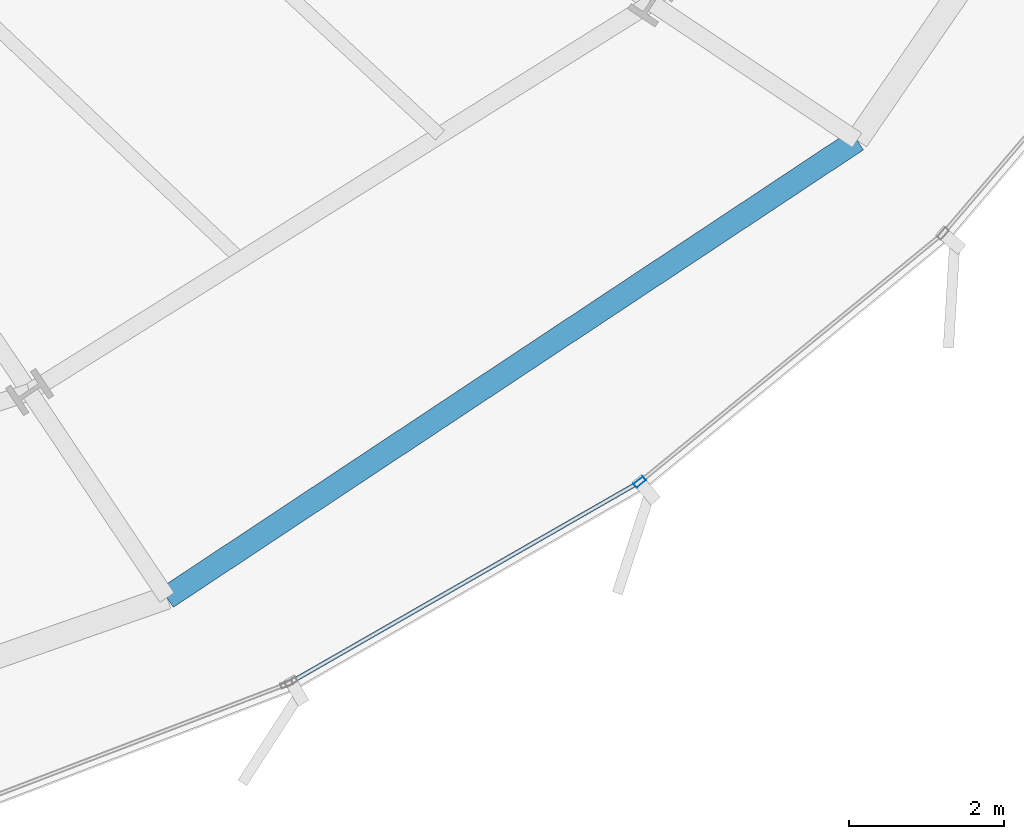
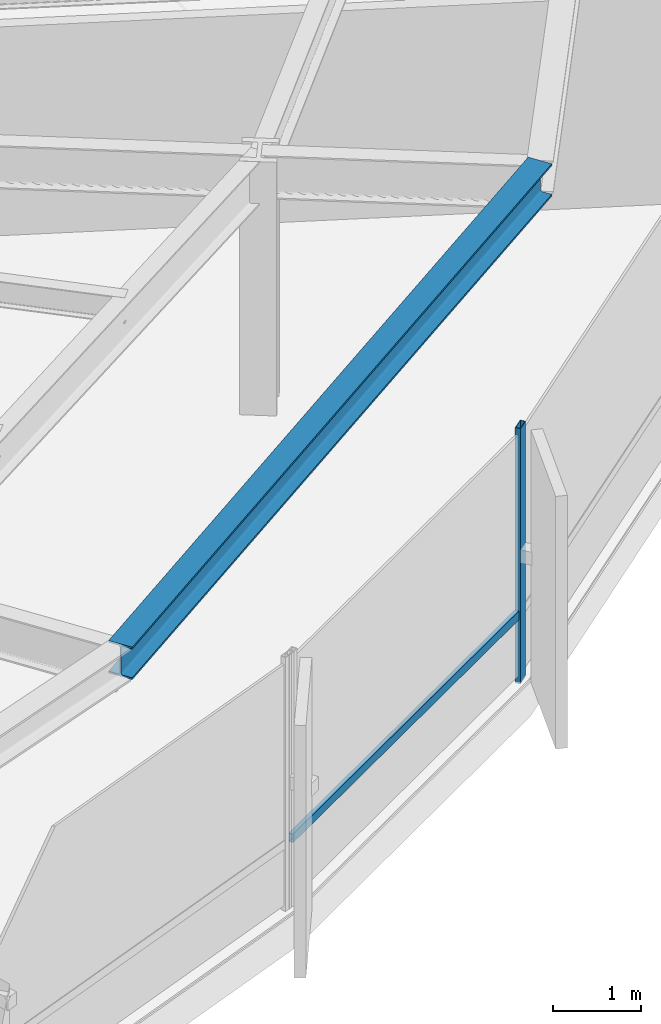
# One storey, part 13 of 38: 2 members, 1 beam, 1 element without a shape of its own.
"""IFC4 building model written with IfcOpenShell, lengths in metres."""

import ifcopenshell
import ifcopenshell.guid

model = None  # the IFC model being written
_history = None  # IfcOwnerHistory: only IFC2X3 demands one
_inside = {}  # id of a spatial element -> (the spatial element, [elements in it])
_under = {}  # id of a project, library or spatial element -> (it, [spatial elements below it])
_declared = {}  # id of a project -> (the project, [libraries it declares])
_typed = {}  # id of a type object -> (the type object, [elements of that type])
_made_of = {}  # id of a material, layer set ... -> (it, [elements and type objects made of it])


def new_model(schema):
    """Start an empty IFC model of exactly this schema.

    Asked for "IFC4X3", IfcOpenShell would pick the latest addendum, in which some entities
    have other attributes; the version numbers below select the first issue.
    IFC2X3 requires an IfcOwnerHistory on every rooted entity: one is made here for all.
    """
    global model, _history
    if schema == "IFC4X3":
        model = ifcopenshell.file(schema_version=(4, 3, 0, 0))
    else:
        model = ifcopenshell.file(schema=schema)
    _inside.clear()
    _under.clear()
    _declared.clear()
    _typed.clear()
    _made_of.clear()
    _history = None
    if model.schema == "IFC2X3":
        org = make("IfcOrganization", Name="unknown")
        user = make(
            "IfcPersonAndOrganization",
            ThePerson=make("IfcPerson", FamilyName="unknown"),
            TheOrganization=org,
        )
        app = make(
            "IfcApplication",
            ApplicationDeveloper=org,
            Version="unknown",
            ApplicationFullName="unknown",
            ApplicationIdentifier="unknown",
        )
        _history = make(
            "IfcOwnerHistory",
            OwningUser=user,
            OwningApplication=app,
            ChangeAction="ADDED",
            CreationDate=0,
        )
    return model


def make(cls, **values):
    """One entity of the class cls with the attributes given. An attribute that is None is left unset."""
    return model.create_entity(
        cls, **{name: value for name, value in values.items() if value is not None}
    )


def rooted(cls, **values):
    """An entity with a GlobalId (a new one), such as an element, a storey or a relation."""
    return make(cls, GlobalId=ifcopenshell.guid.new(), OwnerHistory=_history, **values)


def si_unit(unit_type, name, prefix=None):
    """IfcSIUnit, for example si_unit("LENGTHUNIT", "METRE", prefix="MILLI")."""
    return make("IfcSIUnit", UnitType=unit_type, Prefix=prefix, Name=name)


def assignment(units):
    """IfcUnitAssignment: the units of a project."""
    return None if units is None else make("IfcUnitAssignment", Units=units)


def point(xyz):
    """IfcCartesianPoint."""
    return None if xyz is None else make("IfcCartesianPoint", Coordinates=xyz)


def direction(xyz):
    """IfcDirection."""
    return None if xyz is None else make("IfcDirection", DirectionRatios=xyz)


def frame(location, z_axis=None, x_axis=None):
    """IfcAxis2Placement3D, a coordinate frame: its origin and axes. An axis left out is left unset."""
    return make(
        "IfcAxis2Placement3D",
        Location=point(location),
        Axis=direction(z_axis),
        RefDirection=direction(x_axis),
    )


def frame_2d(location, x_axis=None):
    """IfcAxis2Placement2D, a coordinate frame in the plane: its origin and x axis."""
    return make(
        "IfcAxis2Placement2D", Location=point(location), RefDirection=direction(x_axis)
    )


def origin():
    """The frame at (0, 0, 0) with its axes left unset."""
    return frame((0.0, 0.0, 0.0))


def origin_2d():
    """The frame at (0, 0) in the plane with its x axis left unset."""
    return frame_2d((0.0, 0.0))


def place(relative_to, where):
    """IfcLocalPlacement: puts the frame where relative to a parent placement (None: the world)."""
    return make(
        "IfcLocalPlacement", PlacementRelTo=relative_to, RelativePlacement=where
    )


def context(
    kind, dimensions, precision=None, world=None, true_north=None, identifier=None
):
    """IfcGeometricRepresentationContext, for example the 3D "Model" context."""
    return make(
        "IfcGeometricRepresentationContext",
        ContextIdentifier=identifier,
        ContextType=kind,
        CoordinateSpaceDimension=dimensions,
        Precision=precision,
        WorldCoordinateSystem=world,
        TrueNorth=true_north,
    )


def subcontext(parent, identifier, kind, view, scale=None):
    """IfcGeometricRepresentationSubContext, for example "Body" below "Model"."""
    return make(
        "IfcGeometricRepresentationSubContext",
        ContextIdentifier=identifier,
        ContextType=kind,
        ParentContext=parent,
        TargetScale=scale,
        TargetView=view,
    )


def project(units=None, contexts=None):
    """IfcProject with its units and contexts."""
    return rooted(
        "IfcProject",
        Name="project",
        RepresentationContexts=contexts,
        UnitsInContext=assignment(units),
    )


def spatial(cls, under=None, at=None, **own):
    """A site, building, storey or space (cls), placed at a placement, below another one or the project."""
    s = rooted(cls, ObjectPlacement=at, **own)
    if under is not None:
        _under.setdefault(under.id(), (under, []))[1].append(s)
    return s


def profile(cls, at=None, kind="AREA", **sizes):
    """A parametric profile (cls). Its sizes go by their IFC names, for example OverallWidth=200.0."""
    return make(cls, ProfileType=kind, Position=at, **sizes)


def hollow_rectangle(**sizes):
    """IfcRectangleHollowProfileDef."""
    return profile("IfcRectangleHollowProfileDef", **sizes)


def i_section(**sizes):
    """IfcIShapeProfileDef."""
    return profile("IfcIShapeProfileDef", **sizes)


def extrude(swept, where, along, depth):
    """IfcExtrudedAreaSolid: the profile swept, set in the frame where, extruded along a direction by depth."""
    return make(
        "IfcExtrudedAreaSolid",
        SweptArea=swept,
        Position=where,
        ExtrudedDirection=direction(along),
        Depth=depth,
    )


def shape(context_of_items, identifier, shape_type, items):
    """IfcShapeRepresentation: the items that make up one representation, for example the "Body"."""
    return make(
        "IfcShapeRepresentation",
        ContextOfItems=context_of_items,
        RepresentationIdentifier=identifier,
        RepresentationType=shape_type,
        Items=items,
    )


def source(mapping_origin, context_of_items, identifier, shape_type, items):
    """IfcRepresentationMap: a shape defined once, which mapped items show again and again."""
    return make(
        "IfcRepresentationMap",
        MappingOrigin=mapping_origin,
        MappedRepresentation=shape(context_of_items, identifier, shape_type, items),
    )


def transform(
    local_origin,
    x_axis=None,
    y_axis=None,
    z_axis=None,
    scale=None,
    scale2=None,
    scale3=None,
    uniform=True,
):
    """IfcCartesianTransformationOperator3D, or its non-uniform kind. x_axis, y_axis, z_axis: its Axis1, 2, 3."""
    if uniform:
        return make(
            "IfcCartesianTransformationOperator3D",
            Axis1=direction(x_axis),
            Axis2=direction(y_axis),
            LocalOrigin=point(local_origin),
            Scale=scale,
            Axis3=direction(z_axis),
        )
    return make(
        "IfcCartesianTransformationOperator3DnonUniform",
        Axis1=direction(x_axis),
        Axis2=direction(y_axis),
        LocalOrigin=point(local_origin),
        Scale=scale,
        Axis3=direction(z_axis),
        Scale2=scale2,
        Scale3=scale3,
    )


def mapped(mapping_source, mapping_target):
    """IfcMappedItem: shows the shape of a source again, moved by a transform."""
    return make(
        "IfcMappedItem", MappingSource=mapping_source, MappingTarget=mapping_target
    )


def material(Name=None, Category=None):
    """IfcMaterial."""
    return make("IfcMaterial", Name=Name, Category=Category)


def layer(
    of_material, thickness, ventilated=None, Name=None, Category=None, Priority=None
):
    """IfcMaterialLayer: one layer of a wall or slab, of a material (None: an air gap)."""
    return make(
        "IfcMaterialLayer",
        Material=of_material,
        LayerThickness=thickness,
        IsVentilated=ventilated,
        Name=Name,
        Category=Category,
        Priority=Priority,
    )


def layer_set(layers, Name=None):
    """IfcMaterialLayerSet."""
    return make("IfcMaterialLayerSet", MaterialLayers=layers, LayerSetName=Name)


def material_profile(
    of_material, cross_section, Name=None, Category=None, Priority=None
):
    """IfcMaterialProfile: a cross section and its material."""
    return make(
        "IfcMaterialProfile",
        Name=Name,
        Material=of_material,
        Profile=cross_section,
        Priority=Priority,
        Category=Category,
    )


def profile_set(profiles, Name=None, composite=None):
    """IfcMaterialProfileSet."""
    return make(
        "IfcMaterialProfileSet",
        Name=Name,
        MaterialProfiles=profiles,
        CompositeProfile=composite,
    )


def made_of(thing, what):
    """Note that an element or type object is made of a material, layer set ...; save() writes the relation."""
    if what is not None:
        _made_of.setdefault(what.id(), (what, []))[1].append(thing)
    return thing


def type_object(cls, material=None, **own):
    """A type object (cls), such as IfcWallType, which elements share."""
    return made_of(rooted(cls, **own), material)


def element(
    cls,
    number,
    at=None,
    inside=None,
    cuts=None,
    type_object=None,
    material=None,
    context=None,
    identifier="Body",
    shape_type=None,
    held_by="IfcProductDefinitionShape",
    body=None,
    shapes=None,
    **own,
):
    """One element of the class cls, such as IfcWall. Its Tag is "e" and its number.

    at: its placement. inside: the storey or other place that contains it. cuts: it is an
    opening in that element (IfcRelVoidsElement). A single representation is given by context,
    identifier, shape_type and body (its items); several are given by shapes. held_by: the class
    of the entity that holds the representations. save() writes the other relations.
    """
    e = rooted(cls, Tag="e%d" % number, ObjectPlacement=at, **own)
    if body is not None:
        shapes = [shape(context, identifier, shape_type, body)]
    if shapes is not None:
        e.Representation = make(held_by, Representations=shapes)
    if inside is not None:
        _inside.setdefault(inside.id(), (inside, []))[1].append(e)
    if cuts is not None:
        rooted(
            "IfcRelVoidsElement", RelatingBuildingElement=cuts, RelatedOpeningElement=e
        )
    if type_object is not None:
        _typed.setdefault(type_object.id(), (type_object, []))[1].append(e)
    return made_of(e, material)


def aggregate(whole, parts):
    """IfcRelAggregates: a whole, such as a stair, and the parts it consists of."""
    return rooted("IfcRelAggregates", RelatingObject=whole, RelatedObjects=parts)


def save(model, path):
    """Write the relations noted so far, then the file.

    IfcRelAggregates (storeys below a building ...), IfcRelContainedInSpatialStructure (elements
    in a storey), IfcRelDefinesByType, IfcRelAssociatesMaterial and IfcRelDeclares: one each for
    every whole, place, type object, material and project.
    """
    for whole, parts in _under.values():
        aggregate(whole, parts)
    for where, things in _inside.values():
        rooted(
            "IfcRelContainedInSpatialStructure",
            RelatedElements=things,
            RelatingStructure=where,
        )
    for kind, things in _typed.values():
        rooted("IfcRelDefinesByType", RelatedObjects=things, RelatingType=kind)
    for what, things in _made_of.values():
        rooted("IfcRelAssociatesMaterial", RelatedObjects=things, RelatingMaterial=what)
    for by, libraries in _declared.values():
        rooted("IfcRelDeclares", RelatingContext=by, RelatedDefinitions=libraries)
    model.write(path)


model = new_model("IFC4")

# Units and contexts
model_context = context("Model", 3, precision=1e-05, world=origin(), true_north=direction((0.0, 1.0)))
body_context = subcontext(model_context, "Body", "Model", "MODEL_VIEW")
ifc_project = project(units=[si_unit("LENGTHUNIT", "METRE"), si_unit("AREAUNIT", "SQUARE_METRE"), si_unit("VOLUMEUNIT", "CUBIC_METRE"), si_unit("PLANEANGLEUNIT", "RADIAN"), si_unit("MASSUNIT", "GRAM", prefix="KILO"), si_unit("THERMODYNAMICTEMPERATUREUNIT", "KELVIN")], contexts=[model_context])

# Site, building, storey
site_placement = place(None, origin())
site = spatial("IfcSite", under=ifc_project, at=site_placement, CompositionType="ELEMENT")
building_placement = place(site_placement, origin())
building = spatial("IfcBuilding", under=site, at=building_placement, Name="Kethvar Cultural Tower", CompositionType="ELEMENT")
storey_placement = place(building_placement, frame((0.0, 0.0, 29.60009765625)))
storey = spatial("IfcBuildingStorey", under=building, at=storey_placement, Name="L06", CompositionType="ELEMENT", Elevation=29.60009765625)

# Beam
ifc_material_1 = material(Name="Steel S355J2", Category="steel")
ifc_material_profile_1 = material_profile(ifc_material_1, i_section(OverallWidth=0.300048828125, OverallDepth=0.449951171875, WebThickness=0.013916015625, FlangeThickness=0.02587890625, FilletRadius=0.027099609375, at=origin_2d()), Name="Steel S355J2 — HEB450")
ifc_profile_set_1 = profile_set([ifc_material_profile_1], Name="Steel S355J2 — HEB450")
beam_type = type_object("IfcBeamType", Name="BM-SP450", PredefinedType="SPANDREL", material=ifc_profile_set_1)
shared_shape_1 = source(origin(), body_context, "Body", "SweptSolid", [
    extrude(i_section(OverallWidth=0.300048828125, OverallDepth=0.449951171875, WebThickness=0.013916015625, FlangeThickness=0.02587890625, FilletRadius=0.027099609375, at=origin_2d()), origin(), (0.0, 0.0, 1.0), 10.71435546875),
])
beam_placement = place(storey_placement, frame((61.148193359375, 6.326416015625, 3.322998046875), z_axis=(0.833544146731, 0.552452853599, 0.0), x_axis=(-0.552452853599, 0.833544146731, 0.0)))
element("IfcBeam", 1, at=beam_placement, inside=storey, type_object=beam_type, Name="L06 Perimeter Spandrel Beam SP-14", PredefinedType="SPANDREL", context=body_context, shape_type="MappedRepresentation", body=[
    mapped(shared_shape_1, transform((0.0, 0.0, 0.0), scale=1.0)),
])

# Curtain wall, members
ifc_material_2 = material(Name="Aluminium 6063-T6", Category="aluminium")
ifc_layer = layer(ifc_material_2, 0.179931640625, Name="Aluminium 6063-T6", Category="aluminium")
ifc_layer_set = layer_set([ifc_layer], Name="Aluminium 6063-T6 (180 mm)")
curtain_wall_type = type_object("IfcCurtainWallType", Name="CW-SYS-02-Z1", PredefinedType="NOTDEFINED", material=ifc_layer_set)
curtain_wall_placement = place(storey_placement, origin())
curtain_wall = element("IfcCurtainWall", 2, at=curtain_wall_placement, inside=storey, type_object=curtain_wall_type, Name="L06 Curtain Wall Run 06", PredefinedType="NOTDEFINED")
ifc_material_profile_2 = material_profile(ifc_material_2, hollow_rectangle(XDim=0.06494140625, YDim=0.159912109375, WallThickness=0.0048828125, at=origin_2d()), Name="Aluminium 6063-T6 — RHS160x65x5")
ifc_profile_set_2 = profile_set([ifc_material_profile_2], Name="Aluminium 6063-T6 — RHS160x65x5")
member_type_1 = type_object("IfcMemberType", Name="CW-SYS-02-Z1-MUL", PredefinedType="MULLION", material=ifc_profile_set_2)
shared_shape_2 = source(origin(), body_context, "Body", "SweptSolid", [
    extrude(hollow_rectangle(XDim=0.06494140625, YDim=0.159912109375, WallThickness=0.0048828125, at=origin_2d()), origin(), (0.0, 0.0, 1.0), 3.5498046875),
])
member_1_placement = place(storey_placement, frame((67.267333984375, 7.822509765625, 0.0), z_axis=(0.0, 0.0, 1.0), x_axis=(-0.633988449894, 0.773342514932, 0.0)))
member_1 = element("IfcMember", 3, at=member_1_placement, type_object=member_type_1, Name="CW-L06-R06 Mullion 2", PredefinedType="MULLION", context=body_context, shape_type="MappedRepresentation", body=[
    mapped(shared_shape_2, transform((0.0, 0.0, 0.0), scale=1.0)),
])
ifc_material_profile_3 = material_profile(ifc_material_2, hollow_rectangle(XDim=0.054931640625, YDim=0.1201171875, WallThickness=0.00390625, at=origin_2d()), Name="Aluminium 6063-T6 — RHS120x55x4")
ifc_profile_set_3 = profile_set([ifc_material_profile_3], Name="Aluminium 6063-T6 — RHS120x55x4")
member_type_2 = type_object("IfcMemberType", Name="CW-SYS-02-Z1-TRN", PredefinedType="USERDEFINED", material=ifc_profile_set_3)
shared_shape_3 = source(origin(), body_context, "Body", "SweptSolid", [
    extrude(hollow_rectangle(XDim=0.054931640625, YDim=0.1201171875, WallThickness=0.00390625, at=origin_2d()), origin(), (0.0, 0.0, 1.0), 5.168212890625),
])
member_2_placement = place(storey_placement, frame((62.7607421875, 5.237548828125, 0.949951171875), z_axis=(0.867293886699, 0.497796458499, 0.0), x_axis=(-0.497796458499, 0.867293886699, 0.0)))
member_2 = element("IfcMember", 4, at=member_2_placement, type_object=member_type_2, Name="CW-L06-R06 Transom 1", ObjectType="TRANSOM", PredefinedType="USERDEFINED", context=body_context, shape_type="MappedRepresentation", body=[
    mapped(shared_shape_3, transform((0.0, 0.0, 0.0), scale=1.0)),
])
aggregate(curtain_wall, [member_1, member_2])

save(model, "model.ifc")
